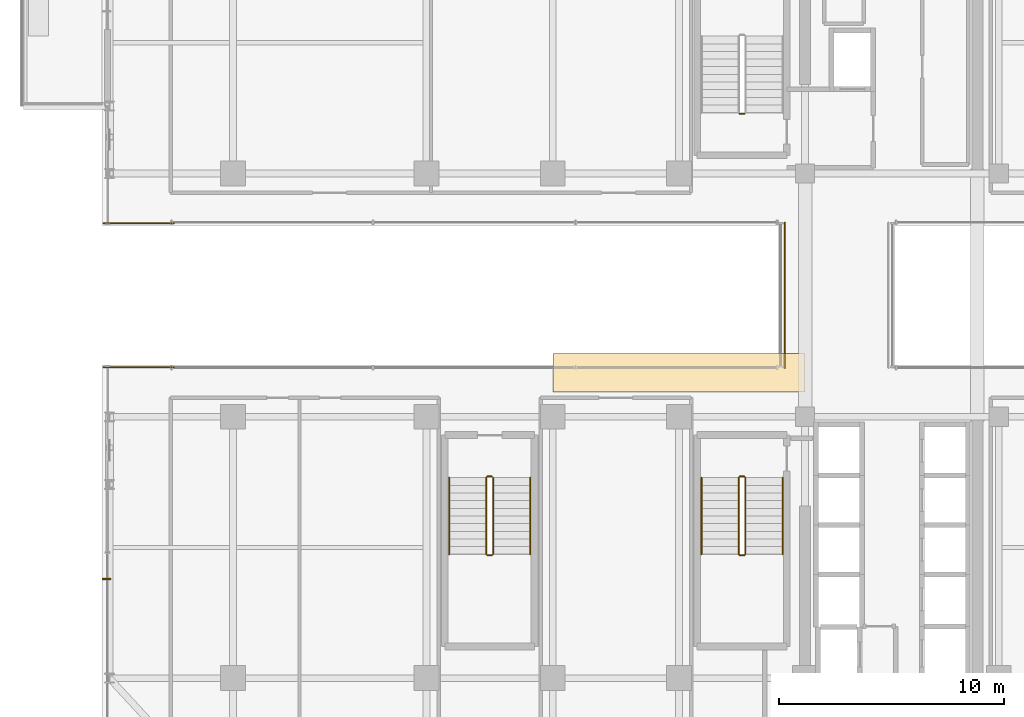
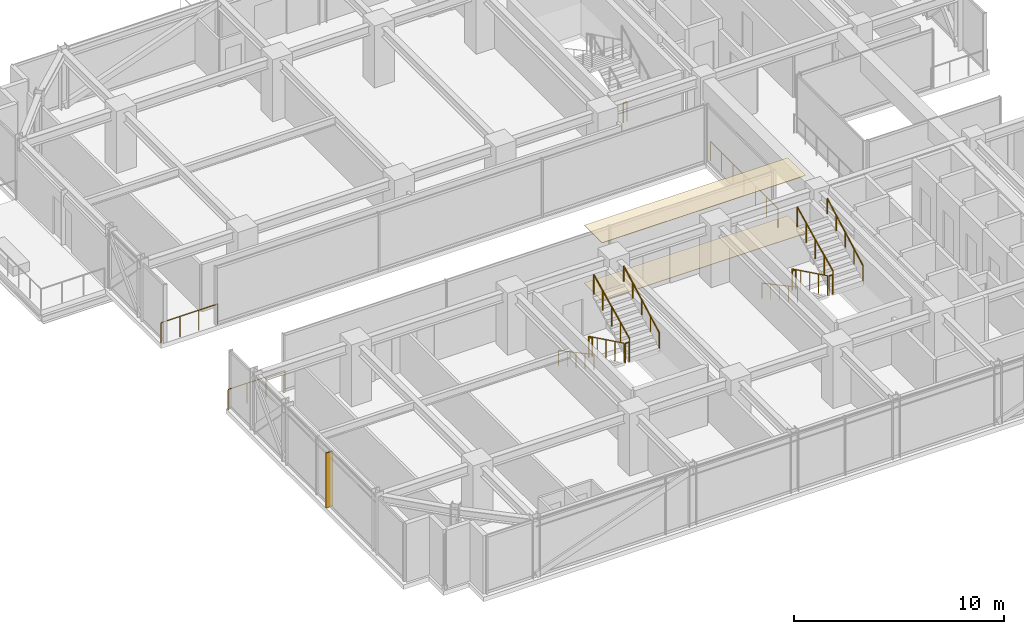
# One storey, part 40 of 43: 16 railings, 2 coverings, 1 shading device.
"""IFC4 building model written with IfcOpenShell, lengths in metres."""

from ifc_helpers import new_model, si_unit, direction, frame, origin, origin_2d, place, context, subcontext, project, spatial, polyline, rectangle, circle, outline, extrude, source, transform, mapped, material, layer, layer_set, type_object, element, save


model = new_model("IFC4")

# Units and contexts
model_context = context("Model", 3, precision=1e-05, world=origin(), true_north=direction((0.0, 1.0)))
body_context = subcontext(model_context, "Body", "Model", "MODEL_VIEW")
ifc_project = project(units=[si_unit("LENGTHUNIT", "METRE"), si_unit("AREAUNIT", "SQUARE_METRE"), si_unit("VOLUMEUNIT", "CUBIC_METRE"), si_unit("PLANEANGLEUNIT", "RADIAN"), si_unit("MASSUNIT", "GRAM", prefix="KILO")], contexts=[model_context])

# Site, building, storey
site_placement = place(None, origin())
site = spatial("IfcSite", under=ifc_project, at=site_placement, CompositionType="ELEMENT")
building_placement = place(site_placement, origin())
building = spatial("IfcBuilding", under=site, at=building_placement, Name="Nahalor Promenade Grand Hotel", CompositionType="ELEMENT")
storey_placement = place(building_placement, frame((0.0, 0.0, 181.85009765625)))
storey = spatial("IfcBuildingStorey", under=building, at=storey_placement, Name="L46", CompositionType="ELEMENT", Elevation=181.85009765625)

# Covering
ifc_material_1 = material(Name="Acoustic Mineral Gypsum", Category="gypsum")
ifc_layer_1 = layer(ifc_material_1, 0.02490234375)
ifc_layer_set_1 = layer_set([ifc_layer_1], Name="Acoustic Mineral Gypsum")
covering_type_1 = type_object("IfcCoveringType", Name="Acoustic Suspended Ceiling Tile", PredefinedType="CEILING", material=ifc_layer_set_1)
covering_1_placement = place(storey_placement, frame((0.0, 0.0, 3.364990234375)))
element("IfcCovering", 1, at=covering_1_placement, inside=storey, type_object=covering_type_1, Name="CV-CEIL-L46", PredefinedType="CEILING", context=body_context, shape_type="SweptSolid", body=[
    extrude(outline(polyline([(-2.800048828125, -4.300048828125), (8.39990234375, -4.300048828125), (8.39990234375, -2.60009765625), (-2.800048828125, -2.60009765625), (-2.800048828125, -4.300048828125)])), origin(), (0.0, 0.0, 1.0), 0.02490234375),
])

# Railings
ifc_material_2 = material(Name="Anodised Bronze Aluminium EN AW-6063 T6", Category="aluminium")
railing_type_1 = type_object("IfcRailingType", Name="Bronze Balcony Guardrail 1200 mm", PredefinedType="GUARDRAIL", material=ifc_material_2)
for number, where, name in (
    (2, (-22.739990234375, -3.199951171875, 0.0), "L46 Oculus Void Edge Guardrail WS"),
    (3, (-22.739990234375, 3.199951171875, 0.0), "L46 Oculus Void Edge Guardrail WN"),
):
    element("IfcRailing", number, at=place(storey_placement, frame(where)), inside=storey, type_object=railing_type_1, Name=name, PredefinedType="GUARDRAIL", context=body_context, shape_type="SweptSolid", body=[
        extrude(circle(Radius=0.024048, at=origin_2d()), frame((0.0, 0.0, 1.17578125), z_axis=(1.0, 0.0, 0.0), x_axis=(0.0, 1.0, 0.0)), (0.0, 0.0, 1.0), 3.119873046875),
        extrude(circle(Radius=0.020996, at=origin_2d()), origin(), (0.0, 0.0, 1.0), 1.14990234375),
        extrude(circle(Radius=0.020996, at=origin_2d()), frame((1.0400390625, 0.0, 0.0)), (0.0, 0.0, 1.0), 1.14990234375),
        extrude(circle(Radius=0.020996, at=origin_2d()), frame((2.079833984375, 0.0, 0.0)), (0.0, 0.0, 1.0), 1.14990234375),
        extrude(circle(Radius=0.020996, at=origin_2d()), frame((3.119873046875, 0.0, 0.0)), (0.0, 0.0, 1.0), 1.14990234375),
    ])
railing_type_2 = type_object("IfcRailingType", Name="Bronze Sky Balustrade 1150 mm", PredefinedType="BALUSTRADE", material=ifc_material_2)
railing_1_placement = place(storey_placement, frame((7.5, -3.219970703125, 0.0)))
element("IfcRailing", 4, at=railing_1_placement, inside=storey, type_object=railing_type_2, Name="BL-L46-BRG-W", PredefinedType="BALUSTRADE", context=body_context, shape_type="SweptSolid", body=[
    extrude(circle(Radius=0.024048, at=origin_2d()), frame((0.0, 0.0, 1.1259765625), z_axis=(0.0, 1.0, 0.0), x_axis=(-1.0, 0.0, 0.0)), (0.0, 0.0, 1.0), 6.43994140625),
    extrude(circle(Radius=0.020996, at=origin_2d()), origin(), (0.0, 0.0, 1.0), 1.099853515625),
    extrude(circle(Radius=0.020996, at=origin_2d()), frame((0.0, 1.0732421875, 0.0)), (0.0, 0.0, 1.0), 1.099853515625),
    extrude(circle(Radius=0.020996, at=origin_2d()), frame((0.0, 2.146728515625, 0.0)), (0.0, 0.0, 1.0), 1.099853515625),
    extrude(circle(Radius=0.020996, at=origin_2d()), frame((0.0, 3.219970703125, 0.0)), (0.0, 0.0, 1.0), 1.099853515625),
    extrude(circle(Radius=0.020996, at=origin_2d()), frame((0.0, 4.293212890625, 0.0)), (0.0, 0.0, 1.0), 1.099853515625),
    extrude(circle(Radius=0.020996, at=origin_2d()), frame((0.0, 5.36669921875, 0.0)), (0.0, 0.0, 1.0), 1.099853515625),
    extrude(circle(Radius=0.020996, at=origin_2d()), frame((0.0, 6.43994140625, 0.0)), (0.0, 0.0, 1.0), 1.099853515625),
])

# Covering
ifc_material_3 = material(Name="Jerusalem Limestone Flooring", Category="masonry")
ifc_layer_2 = layer(ifc_material_3, 0.030029296875)
ifc_layer_set_2 = layer_set([ifc_layer_2], Name="Jerusalem Limestone Flooring")
covering_type_2 = type_object("IfcCoveringType", Name="Honed Limestone Floor Finish", PredefinedType="FLOORING", material=ifc_layer_set_2)
covering_2_placement = place(storey_placement, origin())
element("IfcCovering", 5, at=covering_2_placement, inside=storey, type_object=covering_type_2, Name="CV-FLOR-L46", PredefinedType="FLOORING", context=body_context, shape_type="SweptSolid", body=[
    extrude(outline(polyline([(-2.800048828125, -4.300048828125), (8.39990234375, -4.300048828125), (8.39990234375, -2.60009765625), (-2.800048828125, -2.60009765625), (-2.800048828125, -4.300048828125)])), origin(), (0.0, 0.0, 1.0), 0.02978515625),
])

# Railings
ifc_material_4 = material(Name="Steel S355JR", Category="steel")
railing_type_3 = type_object("IfcRailingType", Name="Steel Stair Guardrail 1150 mm", PredefinedType="GUARDRAIL", material=ifc_material_4)
railing_2_placement = place(storey_placement, frame((5.699951171875, 8.050048828125, 0.0)))
element("IfcRailing", 6, at=railing_2_placement, inside=storey, type_object=railing_type_3, Name="L46 ST1 stair guard 4", PredefinedType="GUARDRAIL", context=body_context, shape_type="SweptSolid", body=[
    extrude(circle(Radius=0.024048, at=origin_2d()), frame((0.0, 0.0, 1.1259765625), z_axis=(-1.0, 0.0, 0.0), x_axis=(0.0, -1.0, 0.0)), (0.0, 0.0, 1.0), 0.199951171875),
    extrude(circle(Radius=0.020996, at=origin_2d()), origin(), (0.0, 0.0, 1.0), 1.099853515625),
    extrude(circle(Radius=0.020996, at=origin_2d()), frame((-0.199951171875, 0.0, 0.0)), (0.0, 0.0, 1.0), 1.099853515625),
])
railing_3_placement = place(storey_placement, frame((5.449951171875, -8.10009765625, 0.165771484375)))
element("IfcRailing", 7, at=railing_3_placement, inside=storey, type_object=railing_type_3, Name="L46 ST2 stair guard 1", PredefinedType="GUARDRAIL", context=body_context, shape_type="SweptSolid", body=[
    extrude(circle(Radius=0.024048, at=origin_2d()), frame((0.0, 0.0, 1.1259765625), z_axis=(0.0, -0.898696488221, 0.438571114028), x_axis=(1.0, 0.0, 0.0)), (0.0, 0.0, 1.0), 3.783203125),
    extrude(circle(Radius=0.020996, at=origin_2d()), origin(), (0.0, 0.0, 1.0), 1.099853515625),
    extrude(circle(Radius=0.020996, at=origin_2d()), frame((0.0, -0.85009765625, 0.414794921875)), (0.0, 0.0, 1.0), 1.099853515625),
    extrude(circle(Radius=0.020996, at=origin_2d()), frame((0.0, -1.699951171875, 0.82958984375)), (0.0, 0.0, 1.0), 1.099853515625),
    extrude(circle(Radius=0.020996, at=origin_2d()), frame((0.0, -2.5498046875, 1.244384765625)), (0.0, 0.0, 1.0), 1.099853515625),
    extrude(circle(Radius=0.020996, at=origin_2d()), frame((0.0, -3.39990234375, 1.6591796875)), (0.0, 0.0, 1.0), 1.099853515625),
])
railing_4_placement = place(storey_placement, frame((5.5, -11.550048828125, 1.824951171875)))
element("IfcRailing", 8, at=railing_4_placement, inside=storey, type_object=railing_type_3, Name="L46 ST2 stair guard 2", PredefinedType="GUARDRAIL", context=body_context, shape_type="SweptSolid", body=[
    extrude(circle(Radius=0.024048, at=origin_2d()), frame((0.0, 0.0, 1.1259765625), z_axis=(1.0, 0.0, 0.0), x_axis=(0.0, 1.0, 0.0)), (0.0, 0.0, 1.0), 0.199951171875),
    extrude(circle(Radius=0.020996, at=origin_2d()), origin(), (0.0, 0.0, 1.0), 1.099853515625),
    extrude(circle(Radius=0.020996, at=origin_2d()), frame((0.199951171875, 0.0, 0.0)), (0.0, 0.0, 1.0), 1.099853515625),
])
railing_5_placement = place(storey_placement, frame((5.75, -11.5, 1.99072265625)))
element("IfcRailing", 9, at=railing_5_placement, inside=storey, type_object=railing_type_3, Name="L46 ST2 stair guard 3", PredefinedType="GUARDRAIL", context=body_context, shape_type="SweptSolid", body=[
    extrude(circle(Radius=0.024048, at=origin_2d()), frame((0.0, 0.0, 1.1259765625), z_axis=(0.0, 0.898696488221, 0.438571114028), x_axis=(-1.0, 0.0, 0.0)), (0.0, 0.0, 1.0), 3.783203125),
    extrude(circle(Radius=0.020996, at=origin_2d()), origin(), (0.0, 0.0, 1.0), 1.099853515625),
    extrude(circle(Radius=0.020996, at=origin_2d()), frame((0.0, 0.85009765625, 0.414794921875)), (0.0, 0.0, 1.0), 1.099853515625),
    extrude(circle(Radius=0.020996, at=origin_2d()), frame((0.0, 1.699951171875, 0.82958984375)), (0.0, 0.0, 1.0), 1.099853515625),
    extrude(circle(Radius=0.020996, at=origin_2d()), frame((0.0, 2.5498046875, 1.244384765625)), (0.0, 0.0, 1.0), 1.099853515625),
    extrude(circle(Radius=0.020996, at=origin_2d()), frame((0.0, 3.39990234375, 1.6591796875)), (0.0, 0.0, 1.0), 1.099853515625),
])
railing_6_placement = place(storey_placement, frame((5.5, -8.050048828125, 0.0)))
element("IfcRailing", 10, at=railing_6_placement, inside=storey, type_object=railing_type_3, Name="L46 ST2 stair guard 4", PredefinedType="GUARDRAIL", context=body_context, shape_type="SweptSolid", body=[
    extrude(circle(Radius=0.024048, at=origin_2d()), frame((0.0, 0.0, 1.1259765625), z_axis=(1.0, 0.0, 0.0), x_axis=(0.0, 1.0, 0.0)), (0.0, 0.0, 1.0), 0.199951171875),
    extrude(circle(Radius=0.020996, at=origin_2d()), origin(), (0.0, 0.0, 1.0), 1.099853515625),
    extrude(circle(Radius=0.020996, at=origin_2d()), frame((0.199951171875, 0.0, 0.0)), (0.0, 0.0, 1.0), 1.099853515625),
])
railing_7_placement = place(storey_placement, frame((-5.75, -8.10009765625, 0.165771484375)))
element("IfcRailing", 11, at=railing_7_placement, inside=storey, type_object=railing_type_3, Name="L46 ST3 stair guard 1", PredefinedType="GUARDRAIL", context=body_context, shape_type="SweptSolid", body=[
    extrude(circle(Radius=0.024048, at=origin_2d()), frame((0.0, 0.0, 1.1259765625), z_axis=(0.0, -0.898696488221, 0.438571114028), x_axis=(1.0, 0.0, 0.0)), (0.0, 0.0, 1.0), 3.783203125),
    extrude(circle(Radius=0.020996, at=origin_2d()), origin(), (0.0, 0.0, 1.0), 1.099853515625),
    extrude(circle(Radius=0.020996, at=origin_2d()), frame((0.0, -0.85009765625, 0.414794921875)), (0.0, 0.0, 1.0), 1.099853515625),
    extrude(circle(Radius=0.020996, at=origin_2d()), frame((0.0, -1.699951171875, 0.82958984375)), (0.0, 0.0, 1.0), 1.099853515625),
    extrude(circle(Radius=0.020996, at=origin_2d()), frame((0.0, -2.5498046875, 1.244384765625)), (0.0, 0.0, 1.0), 1.099853515625),
    extrude(circle(Radius=0.020996, at=origin_2d()), frame((0.0, -3.39990234375, 1.6591796875)), (0.0, 0.0, 1.0), 1.099853515625),
])
railing_8_placement = place(storey_placement, frame((-5.699951171875, -11.550048828125, 1.824951171875)))
element("IfcRailing", 12, at=railing_8_placement, inside=storey, type_object=railing_type_3, Name="L46 ST3 stair guard 2", PredefinedType="GUARDRAIL", context=body_context, shape_type="SweptSolid", body=[
    extrude(circle(Radius=0.024048, at=origin_2d()), frame((0.0, 0.0, 1.1259765625), z_axis=(1.0, 0.0, 0.0), x_axis=(0.0, 1.0, 0.0)), (0.0, 0.0, 1.0), 0.199951171875),
    extrude(circle(Radius=0.020996, at=origin_2d()), origin(), (0.0, 0.0, 1.0), 1.099853515625),
    extrude(circle(Radius=0.020996, at=origin_2d()), frame((0.199951171875, 0.0, 0.0)), (0.0, 0.0, 1.0), 1.099853515625),
])
railing_9_placement = place(storey_placement, frame((-5.449951171875, -11.5, 1.99072265625)))
element("IfcRailing", 13, at=railing_9_placement, inside=storey, type_object=railing_type_3, Name="L46 ST3 stair guard 3", PredefinedType="GUARDRAIL", context=body_context, shape_type="SweptSolid", body=[
    extrude(circle(Radius=0.024048, at=origin_2d()), frame((0.0, 0.0, 1.1259765625), z_axis=(0.0, 0.898696488221, 0.438571114028), x_axis=(-1.0, 0.0, 0.0)), (0.0, 0.0, 1.0), 3.783203125),
    extrude(circle(Radius=0.020996, at=origin_2d()), origin(), (0.0, 0.0, 1.0), 1.099853515625),
    extrude(circle(Radius=0.020996, at=origin_2d()), frame((0.0, 0.85009765625, 0.414794921875)), (0.0, 0.0, 1.0), 1.099853515625),
    extrude(circle(Radius=0.020996, at=origin_2d()), frame((0.0, 1.699951171875, 0.82958984375)), (0.0, 0.0, 1.0), 1.099853515625),
    extrude(circle(Radius=0.020996, at=origin_2d()), frame((0.0, 2.5498046875, 1.244384765625)), (0.0, 0.0, 1.0), 1.099853515625),
    extrude(circle(Radius=0.020996, at=origin_2d()), frame((0.0, 3.39990234375, 1.6591796875)), (0.0, 0.0, 1.0), 1.099853515625),
])
railing_10_placement = place(storey_placement, frame((-5.699951171875, -8.050048828125, 0.0)))
element("IfcRailing", 14, at=railing_10_placement, inside=storey, type_object=railing_type_3, Name="L46 ST3 stair guard 4", PredefinedType="GUARDRAIL", context=body_context, shape_type="SweptSolid", body=[
    extrude(circle(Radius=0.024048, at=origin_2d()), frame((0.0, 0.0, 1.1259765625), z_axis=(1.0, 0.0, 0.0), x_axis=(0.0, 1.0, 0.0)), (0.0, 0.0, 1.0), 0.199951171875),
    extrude(circle(Radius=0.020996, at=origin_2d()), origin(), (0.0, 0.0, 1.0), 1.099853515625),
    extrude(circle(Radius=0.020996, at=origin_2d()), frame((0.199951171875, 0.0, 0.0)), (0.0, 0.0, 1.0), 1.099853515625),
])
railing_type_4 = type_object("IfcRailingType", Name="Steel Stair Handrail 900 mm", PredefinedType="HANDRAIL", material=ifc_material_4)
railing_11_placement = place(storey_placement, frame((3.800048828125, -8.10009765625, 0.165771484375)))
element("IfcRailing", 15, at=railing_11_placement, inside=storey, type_object=railing_type_4, Name="L46 ST2 stair handrail 1", PredefinedType="HANDRAIL", context=body_context, shape_type="SweptSolid", body=[
    extrude(circle(Radius=0.024048, at=origin_2d()), frame((0.0, 0.0, 0.8759765625), z_axis=(0.0, -0.881094038095, 0.47294111265), x_axis=(1.0, 0.0, 0.0)), (0.0, 0.0, 1.0), 3.858642578125),
    extrude(circle(Radius=0.020996, at=origin_2d()), origin(), (0.0, 0.0, 1.0), 0.849853515625),
    extrude(circle(Radius=0.020996, at=origin_2d()), frame((0.0, -0.85009765625, 0.456298828125)), (0.0, 0.0, 1.0), 0.849853515625),
    extrude(circle(Radius=0.020996, at=origin_2d()), frame((0.0, -1.699951171875, 0.91259765625)), (0.0, 0.0, 1.0), 0.849853515625),
    extrude(circle(Radius=0.020996, at=origin_2d()), frame((0.0, -2.5498046875, 1.36865234375)), (0.0, 0.0, 1.0), 0.849853515625),
    extrude(circle(Radius=0.020996, at=origin_2d()), frame((0.0, -3.39990234375, 1.824951171875)), (0.0, 0.0, 1.0), 0.849853515625),
])
railing_12_placement = place(storey_placement, frame((7.39990234375, -11.5, 1.99072265625)))
element("IfcRailing", 16, at=railing_12_placement, inside=storey, type_object=railing_type_4, Name="L46 ST2 stair handrail 2", PredefinedType="HANDRAIL", context=body_context, shape_type="SweptSolid", body=[
    extrude(circle(Radius=0.024048, at=origin_2d()), frame((0.0, 0.0, 0.8759765625), z_axis=(0.0, 0.881067672671, 0.472990228413), x_axis=(-1.0, 0.0, 0.0)), (0.0, 0.0, 1.0), 3.85888671875),
    extrude(circle(Radius=0.020996, at=origin_2d()), origin(), (0.0, 0.0, 1.0), 0.849853515625),
    extrude(circle(Radius=0.020996, at=origin_2d()), frame((0.0, 0.85009765625, 0.456298828125)), (0.0, 0.0, 1.0), 0.849853515625),
    extrude(circle(Radius=0.020996, at=origin_2d()), frame((0.0, 1.699951171875, 0.91259765625)), (0.0, 0.0, 1.0), 0.849853515625),
    extrude(circle(Radius=0.020996, at=origin_2d()), frame((0.0, 2.5498046875, 1.368896484375)), (0.0, 0.0, 1.0), 0.849853515625),
    extrude(circle(Radius=0.020996, at=origin_2d()), frame((0.0, 3.39990234375, 1.8251953125)), (0.0, 0.0, 1.0), 0.849853515625),
])
railing_13_placement = place(storey_placement, frame((-7.39990234375, -8.10009765625, 0.165771484375)))
element("IfcRailing", 17, at=railing_13_placement, inside=storey, type_object=railing_type_4, Name="L46 ST3 stair handrail 1", PredefinedType="HANDRAIL", context=body_context, shape_type="SweptSolid", body=[
    extrude(circle(Radius=0.024048, at=origin_2d()), frame((0.0, 0.0, 0.8759765625), z_axis=(0.0, -0.881094038095, 0.47294111265), x_axis=(1.0, 0.0, 0.0)), (0.0, 0.0, 1.0), 3.858642578125),
    extrude(circle(Radius=0.020996, at=origin_2d()), origin(), (0.0, 0.0, 1.0), 0.849853515625),
    extrude(circle(Radius=0.020996, at=origin_2d()), frame((0.0, -0.85009765625, 0.456298828125)), (0.0, 0.0, 1.0), 0.849853515625),
    extrude(circle(Radius=0.020996, at=origin_2d()), frame((0.0, -1.699951171875, 0.91259765625)), (0.0, 0.0, 1.0), 0.849853515625),
    extrude(circle(Radius=0.020996, at=origin_2d()), frame((0.0, -2.5498046875, 1.36865234375)), (0.0, 0.0, 1.0), 0.849853515625),
    extrude(circle(Radius=0.020996, at=origin_2d()), frame((0.0, -3.39990234375, 1.824951171875)), (0.0, 0.0, 1.0), 0.849853515625),
])
railing_14_placement = place(storey_placement, frame((-3.800048828125, -11.5, 1.99072265625)))
element("IfcRailing", 18, at=railing_14_placement, inside=storey, type_object=railing_type_4, Name="L46 ST3 stair handrail 2", PredefinedType="HANDRAIL", context=body_context, shape_type="SweptSolid", body=[
    extrude(circle(Radius=0.024048, at=origin_2d()), frame((0.0, 0.0, 0.8759765625), z_axis=(0.0, 0.881067672671, 0.472990228413), x_axis=(-1.0, 0.0, 0.0)), (0.0, 0.0, 1.0), 3.85888671875),
    extrude(circle(Radius=0.020996, at=origin_2d()), origin(), (0.0, 0.0, 1.0), 0.849853515625),
    extrude(circle(Radius=0.020996, at=origin_2d()), frame((0.0, 0.85009765625, 0.456298828125)), (0.0, 0.0, 1.0), 0.849853515625),
    extrude(circle(Radius=0.020996, at=origin_2d()), frame((0.0, 1.699951171875, 0.91259765625)), (0.0, 0.0, 1.0), 0.849853515625),
    extrude(circle(Radius=0.020996, at=origin_2d()), frame((0.0, 2.5498046875, 1.368896484375)), (0.0, 0.0, 1.0), 0.849853515625),
    extrude(circle(Radius=0.020996, at=origin_2d()), frame((0.0, 3.39990234375, 1.8251953125)), (0.0, 0.0, 1.0), 0.849853515625),
])

# Shading device
ifc_layer_3 = layer(ifc_material_2, 0.06005859375)
ifc_layer_set_3 = layer_set([ifc_layer_3], Name="Anodised Bronze Aluminium EN AW-6063 T6")
shading_device_type = type_object("IfcShadingDeviceType", Name="Shade-SolarFin-Bronze", PredefinedType="JALOUSIE", material=ifc_layer_set_3)
shared_shape = source(origin(), body_context, "Body", "SweptSolid", [
    extrude(rectangle(XDim=0.3798828125, YDim=0.06005859375, at=origin_2d()), origin(), (0.0, 0.0, 1.0), 3.199951171875),
])
shading_device_placement = place(storey_placement, frame((-22.610107421875, -12.60009765625, 0.0), z_axis=(0.0, 0.0, 1.0), x_axis=(1.0, 0.0, 0.0)))
element("IfcShadingDevice", 19, at=shading_device_placement, inside=storey, type_object=shading_device_type, Name="JAL-L46-W1", PredefinedType="JALOUSIE", context=body_context, shape_type="MappedRepresentation", body=[
    mapped(shared_shape, transform((0.0, 0.0, 0.0), scale=1.0)),
])

save(model, "model.ifc")
